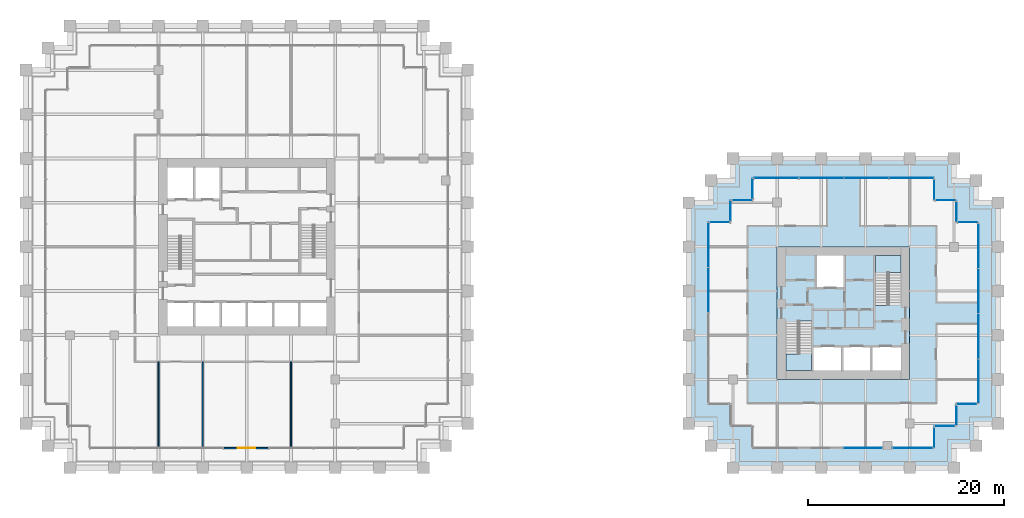
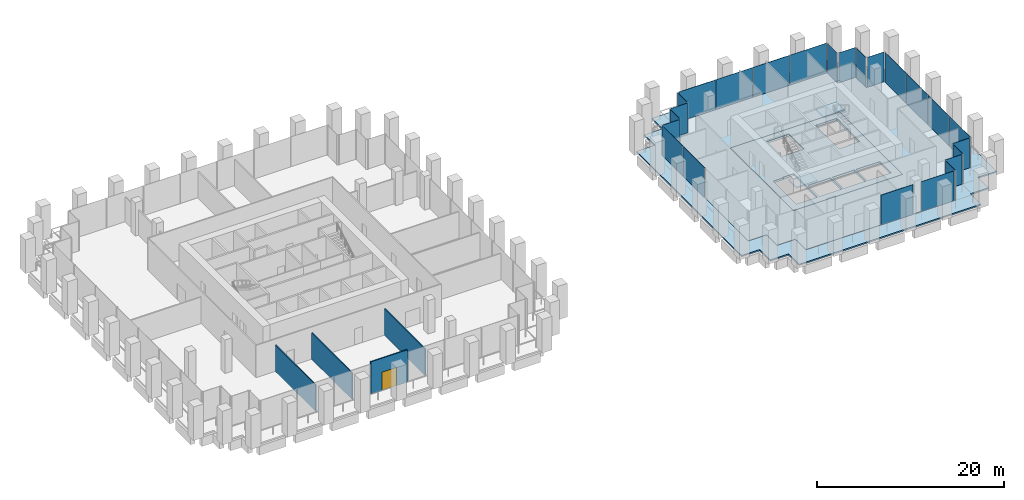
# One storey, part 29 of 36: 24 plates, 5 slabs, 4 walls, 1 door, 1 opening, 19 elements without a shape of their own.
"""IFC4 building model written with IfcOpenShell, lengths in metres."""

from ifc_helpers import new_model, si_unit, direction, frame, frame_2d, origin, origin_2d, place, context, subcontext, project, spatial, polyline, rectangle, outline, extrude, material, layer, layer_set, type_object, element, fill, aggregate, save


model = new_model("IFC4")

# Units and contexts
model_context = context("Model", 3, precision=1e-05, world=origin(), true_north=direction((0.0, 1.0)))
body_context = subcontext(model_context, "Body", "Model", "MODEL_VIEW")
ifc_project = project(units=[si_unit("LENGTHUNIT", "METRE"), si_unit("AREAUNIT", "SQUARE_METRE"), si_unit("VOLUMEUNIT", "CUBIC_METRE"), si_unit("PLANEANGLEUNIT", "RADIAN"), si_unit("MASSUNIT", "GRAM", prefix="KILO")], contexts=[model_context])

# Site, building, storey
site_placement = place(None, origin())
site = spatial("IfcSite", under=ifc_project, at=site_placement, CompositionType="ELEMENT")
building_placement = place(site_placement, origin())
building = spatial("IfcBuilding", under=site, at=building_placement, Name="Altepetl Exchange Towers", CompositionType="ELEMENT")
storey_placement = place(building_placement, frame((0.0, 0.0, 34.199951171875)))
storey = spatial("IfcBuildingStorey", under=building, at=storey_placement, Name="L07", CompositionType="ELEMENT", Elevation=34.199951171875)

# Slabs
ifc_material_1 = material(Name="Concrete C40/50", Category="concrete")
ifc_layer_1 = layer(ifc_material_1, 0.175048828125)
ifc_layer_set_1 = layer_set([ifc_layer_1], Name="Concrete C40/50")
slab_type_1 = type_object("IfcSlabType", Name="Composite floor slab 175", PredefinedType="FLOOR", material=ifc_layer_set_1)
slab_1_placement = place(storey_placement, frame((0.0, 0.0, -0.175048828125)))
element("IfcSlab", 1, at=slab_1_placement, inside=storey, type_object=slab_type_1, Name="slab:B:L07:strip0", PredefinedType="FLOOR", context=body_context, shape_type="SweptSolid", body=[
    extrude(outline(polyline([(98.75, 54.25), (98.75, 52.0), (96.5, 52.0), (96.5, 33.5), (98.75, 33.5), (98.75, 31.25), (101.0, 31.25), (101.0, 29.0), (119.5, 29.0), (119.5, 31.25), (121.75, 31.25), (121.75, 33.5), (124.0, 33.5), (124.0, 52.0), (121.75, 52.0), (121.75, 54.25), (119.5, 54.25), (119.5, 56.5), (101.0, 56.5), (101.0, 54.25), (98.75, 54.25)]), holes=[polyline([(117.0, 49.5), (117.0, 36.0), (103.5, 36.0), (103.5, 49.5), (117.0, 49.5)])]), origin(), (0.0, 0.0, 1.0), 0.175048828125),
])
ifc_layer_2 = layer(ifc_material_1, 0.27490234375)
ifc_layer_set_2 = layer_set([ifc_layer_2], Name="Concrete C40/50")
slab_type_2 = type_object("IfcSlabType", Name="Core floor slab 275", PredefinedType="FLOOR", material=ifc_layer_set_2)
slab_2_placement = place(storey_placement, frame((0.0, 0.0, -0.27490234375)))
element("IfcSlab", 2, at=slab_2_placement, inside=storey, type_object=slab_type_2, Name="slab:B:L07:core0", PredefinedType="FLOOR", context=body_context, shape_type="SweptSolid", body=[
    extrude(outline(polyline([(103.5, 36.0), (117.0, 36.0), (117.0, 49.5), (103.5, 49.5), (103.5, 36.0)]), holes=[polyline([(107.199951171875, 36.89990234375), (107.199951171875, 39.300048828125), (110.032958984375, 39.300048828125), (110.032958984375, 36.89990234375), (107.199951171875, 36.89990234375)]), polyline([(110.23291015625, 39.300048828125), (112.967041015625, 39.300048828125), (112.967041015625, 36.89990234375), (110.23291015625, 36.89990234375), (110.23291015625, 39.300048828125)]), polyline([(113.1669921875, 39.300048828125), (116.10009765625, 39.300048828125), (116.10009765625, 36.89990234375), (113.1669921875, 36.89990234375), (113.1669921875, 39.300048828125)]), polyline([(107.0, 36.89990234375), (104.39990234375, 36.89990234375), (104.39990234375, 41.85009765625), (105.64990234375, 41.85009765625), (105.64990234375, 41.948974609375), (107.0, 41.948974609375), (107.0, 36.89990234375)]), polyline([(116.10009765625, 48.60009765625), (116.10009765625, 43.64990234375), (114.85009765625, 43.64990234375), (114.85009765625, 43.551025390625), (113.5, 43.551025390625), (113.5, 48.60009765625), (116.10009765625, 48.60009765625)]), polyline([(107.532958984375, 48.60009765625), (110.26708984375, 48.60009765625), (110.26708984375, 45.39990234375), (107.532958984375, 45.39990234375), (107.532958984375, 48.60009765625)])]), origin(), (0.0, 0.0, 1.0), 0.27490234375),
])

# Curtain wall, plate
ifc_material_2 = material(Name="Aluminium 6063-T6 glazing", Category="aluminium")
curtain_wall_type = type_object("IfcCurtainWallType", Name="Trading floor glazing system", PredefinedType="NOTDEFINED", material=ifc_material_2)
curtain_wall_1_placement = place(storey_placement, origin())
curtain_wall_1 = element("IfcCurtainWall", 3, at=curtain_wall_1_placement, inside=storey, type_object=curtain_wall_type, Name="CW2 run", PredefinedType="NOTDEFINED")
ifc_material_3 = material(Name="Glass 8-20-8 solar control", Category="glass")
ifc_layer_3 = layer(ifc_material_3, 0.035888671875)
ifc_layer_set_3 = layer_set([ifc_layer_3], Name="Glass 8-20-8 solar control")
plate_type = type_object("IfcPlateType", Name="Glass panel 36 double glazed", PredefinedType="CURTAIN_PANEL", material=ifc_layer_set_3)
plate_1_placement = place(storey_placement, frame((97.675048828125, 52.0, 0.0), z_axis=(0.0, 0.0, 1.0), x_axis=(-1.0, 0.0, 0.0)))
plate_1 = element("IfcPlate", 4, at=plate_1_placement, type_object=plate_type, Name="GP2 panel", PredefinedType="CURTAIN_PANEL", context=body_context, shape_type="SweptSolid", body=[
    extrude(rectangle(XDim=2.030029296875, YDim=0.035888671875, at=origin_2d()), origin(), (0.0, 0.0, 1.0), 3.89990234375),
])
aggregate(curtain_wall_1, [plate_1])

# Curtain wall, plates
curtain_wall_2_placement = place(storey_placement, origin())
curtain_wall_2 = element("IfcCurtainWall", 5, at=curtain_wall_2_placement, inside=storey, type_object=curtain_wall_type, Name="CW2 run", PredefinedType="NOTDEFINED")
plate_2_placement = place(storey_placement, frame((96.5, 49.68505859375, 0.0), z_axis=(0.0, 0.0, 1.0), x_axis=(0.0, -1.0, 0.0)))
plate_2 = element("IfcPlate", 6, at=plate_2_placement, type_object=plate_type, Name="GP2 panel", PredefinedType="CURTAIN_PANEL", context=body_context, shape_type="SweptSolid", body=[
    extrude(rectangle(XDim=4.510009765625, YDim=0.035888671875, at=origin_2d()), origin(), (0.0, 0.0, 1.0), 3.89990234375),
])
plate_3_placement = place(storey_placement, frame((96.5, 45.10009765625, 0.0), z_axis=(0.0, 0.0, 1.0), x_axis=(0.0, -1.0, 0.0)))
plate_3 = element("IfcPlate", 7, at=plate_3_placement, type_object=plate_type, Name="GP2 panel", PredefinedType="CURTAIN_PANEL", context=body_context, shape_type="SweptSolid", body=[
    extrude(rectangle(XDim=4.5400390625, YDim=0.035888671875, at=origin_2d()), origin(), (0.0, 0.0, 1.0), 3.89990234375),
])
aggregate(curtain_wall_2, [plate_2, plate_3])

# Curtain wall, plate
curtain_wall_3_placement = place(storey_placement, origin())
curtain_wall_3 = element("IfcCurtainWall", 8, at=curtain_wall_3_placement, inside=storey, type_object=curtain_wall_type, Name="CW2 run", PredefinedType="NOTDEFINED")
plate_4_placement = place(storey_placement, frame((112.239990234375, 29.0, 0.0)))
plate_4 = element("IfcPlate", 9, at=plate_4_placement, type_object=plate_type, Name="GP2 panel", PredefinedType="CURTAIN_PANEL", context=body_context, shape_type="SweptSolid", body=[
    extrude(rectangle(XDim=3.9599609375, YDim=0.035888671875, at=origin_2d()), origin(), (0.0, 0.0, 1.0), 3.89990234375),
])
aggregate(curtain_wall_3, [plate_4])

curtain_wall_4_placement = place(storey_placement, origin())
curtain_wall_4 = element("IfcCurtainWall", 10, at=curtain_wall_4_placement, inside=storey, type_object=curtain_wall_type, Name="CW2 run", PredefinedType="NOTDEFINED")
plate_5_placement = place(storey_placement, frame((117.31005859375, 29.0, 0.0)))
plate_5 = element("IfcPlate", 11, at=plate_5_placement, type_object=plate_type, Name="GP2 panel", PredefinedType="CURTAIN_PANEL", context=body_context, shape_type="SweptSolid", body=[
    extrude(rectangle(XDim=4.06005859375, YDim=0.035888671875, at=origin_2d()), origin(), (0.0, 0.0, 1.0), 3.89990234375),
])
aggregate(curtain_wall_4, [plate_5])

curtain_wall_5_placement = place(storey_placement, origin())
curtain_wall_5 = element("IfcCurtainWall", 12, at=curtain_wall_5_placement, inside=storey, type_object=curtain_wall_type, Name="CW2 run", PredefinedType="NOTDEFINED")
plate_6_placement = place(storey_placement, frame((119.5, 30.074951171875, 0.0), z_axis=(0.0, 0.0, 1.0), x_axis=(0.0, 1.0, 0.0)))
plate_6 = element("IfcPlate", 13, at=plate_6_placement, type_object=plate_type, Name="GP2 panel", PredefinedType="CURTAIN_PANEL", context=body_context, shape_type="SweptSolid", body=[
    extrude(rectangle(XDim=2.030029296875, YDim=0.035888671875, at=origin_2d()), origin(), (0.0, 0.0, 1.0), 3.89990234375),
])
aggregate(curtain_wall_5, [plate_6])

curtain_wall_6_placement = place(storey_placement, origin())
curtain_wall_6 = element("IfcCurtainWall", 14, at=curtain_wall_6_placement, inside=storey, type_object=curtain_wall_type, Name="CW2 run", PredefinedType="NOTDEFINED")
plate_7_placement = place(storey_placement, frame((120.574951171875, 31.25, 0.0)))
plate_7 = element("IfcPlate", 15, at=plate_7_placement, type_object=plate_type, Name="GP2 panel", PredefinedType="CURTAIN_PANEL", context=body_context, shape_type="SweptSolid", body=[
    extrude(rectangle(XDim=2.030029296875, YDim=0.035888671875, at=origin_2d()), origin(), (0.0, 0.0, 1.0), 3.89990234375),
])
aggregate(curtain_wall_6, [plate_7])

curtain_wall_7_placement = place(storey_placement, origin())
curtain_wall_7 = element("IfcCurtainWall", 16, at=curtain_wall_7_placement, inside=storey, type_object=curtain_wall_type, Name="CW2 run", PredefinedType="NOTDEFINED")
plate_8_placement = place(storey_placement, frame((121.75, 32.324951171875, 0.0), z_axis=(0.0, 0.0, 1.0), x_axis=(0.0, 1.0, 0.0)))
plate_8 = element("IfcPlate", 17, at=plate_8_placement, type_object=plate_type, Name="GP2 panel", PredefinedType="CURTAIN_PANEL", context=body_context, shape_type="SweptSolid", body=[
    extrude(rectangle(XDim=2.030029296875, YDim=0.035888671875, at=origin_2d()), origin(), (0.0, 0.0, 1.0), 3.89990234375),
])
aggregate(curtain_wall_7, [plate_8])

curtain_wall_8_placement = place(storey_placement, origin())
curtain_wall_8 = element("IfcCurtainWall", 18, at=curtain_wall_8_placement, inside=storey, type_object=curtain_wall_type, Name="CW2 run", PredefinedType="NOTDEFINED")
plate_9_placement = place(storey_placement, frame((122.824951171875, 33.5, 0.0)))
plate_9 = element("IfcPlate", 19, at=plate_9_placement, type_object=plate_type, Name="GP2 panel", PredefinedType="CURTAIN_PANEL", context=body_context, shape_type="SweptSolid", body=[
    extrude(rectangle(XDim=2.030029296875, YDim=0.035888671875, at=origin_2d()), origin(), (0.0, 0.0, 1.0), 3.89990234375),
])
aggregate(curtain_wall_8, [plate_9])

# Curtain wall, plates
curtain_wall_9_placement = place(storey_placement, origin())
curtain_wall_9 = element("IfcCurtainWall", 20, at=curtain_wall_9_placement, inside=storey, type_object=curtain_wall_type, Name="CW2 run", PredefinedType="NOTDEFINED")
plate_10_placement = place(storey_placement, frame((124.0, 35.81494140625, 0.0), z_axis=(0.0, 0.0, 1.0), x_axis=(0.0, 1.0, 0.0)))
plate_10 = element("IfcPlate", 21, at=plate_10_placement, type_object=plate_type, Name="GP2 panel", PredefinedType="CURTAIN_PANEL", context=body_context, shape_type="SweptSolid", body=[
    extrude(rectangle(XDim=4.510009765625, YDim=0.035888671875, at=origin_2d()), origin(), (0.0, 0.0, 1.0), 3.89990234375),
])
plate_11_placement = place(storey_placement, frame((124.0, 40.39990234375, 0.0), z_axis=(0.0, 0.0, 1.0), x_axis=(0.0, 1.0, 0.0)))
plate_11 = element("IfcPlate", 22, at=plate_11_placement, type_object=plate_type, Name="GP2 panel", PredefinedType="CURTAIN_PANEL", context=body_context, shape_type="SweptSolid", body=[
    extrude(rectangle(XDim=4.5400390625, YDim=0.035888671875, at=origin_2d()), origin(), (0.0, 0.0, 1.0), 3.89990234375),
])
plate_12_placement = place(storey_placement, frame((124.0, 45.0, 0.0), z_axis=(0.0, 0.0, 1.0), x_axis=(0.0, 1.0, 0.0)))
plate_12 = element("IfcPlate", 23, at=plate_12_placement, type_object=plate_type, Name="GP2 panel", PredefinedType="CURTAIN_PANEL", context=body_context, shape_type="SweptSolid", body=[
    extrude(rectangle(XDim=4.5400390625, YDim=0.035888671875, at=origin_2d()), origin(), (0.0, 0.0, 1.0), 3.89990234375),
])
plate_13_placement = place(storey_placement, frame((124.0, 49.5849609375, 0.0), z_axis=(0.0, 0.0, 1.0), x_axis=(0.0, 1.0, 0.0)))
plate_13 = element("IfcPlate", 24, at=plate_13_placement, type_object=plate_type, Name="GP2 panel", PredefinedType="CURTAIN_PANEL", context=body_context, shape_type="SweptSolid", body=[
    extrude(rectangle(XDim=4.510009765625, YDim=0.035888671875, at=origin_2d()), origin(), (0.0, 0.0, 1.0), 3.89990234375),
])
aggregate(curtain_wall_9, [plate_10, plate_11, plate_12, plate_13])

# Curtain wall, plate
curtain_wall_10_placement = place(storey_placement, origin())
curtain_wall_10 = element("IfcCurtainWall", 25, at=curtain_wall_10_placement, inside=storey, type_object=curtain_wall_type, Name="CW2 run", PredefinedType="NOTDEFINED")
plate_14_placement = place(storey_placement, frame((122.925048828125, 52.0, 0.0), z_axis=(0.0, 0.0, 1.0), x_axis=(-1.0, 0.0, 0.0)))
plate_14 = element("IfcPlate", 26, at=plate_14_placement, type_object=plate_type, Name="GP2 panel", PredefinedType="CURTAIN_PANEL", context=body_context, shape_type="SweptSolid", body=[
    extrude(rectangle(XDim=2.030029296875, YDim=0.035888671875, at=origin_2d()), origin(), (0.0, 0.0, 1.0), 3.89990234375),
])
aggregate(curtain_wall_10, [plate_14])

curtain_wall_11_placement = place(storey_placement, origin())
curtain_wall_11 = element("IfcCurtainWall", 27, at=curtain_wall_11_placement, inside=storey, type_object=curtain_wall_type, Name="CW2 run", PredefinedType="NOTDEFINED")
plate_15_placement = place(storey_placement, frame((121.75, 53.074951171875, 0.0), z_axis=(0.0, 0.0, 1.0), x_axis=(0.0, 1.0, 0.0)))
plate_15 = element("IfcPlate", 28, at=plate_15_placement, type_object=plate_type, Name="GP2 panel", PredefinedType="CURTAIN_PANEL", context=body_context, shape_type="SweptSolid", body=[
    extrude(rectangle(XDim=2.030029296875, YDim=0.035888671875, at=origin_2d()), origin(), (0.0, 0.0, 1.0), 3.89990234375),
])
aggregate(curtain_wall_11, [plate_15])

curtain_wall_12_placement = place(storey_placement, origin())
curtain_wall_12 = element("IfcCurtainWall", 29, at=curtain_wall_12_placement, inside=storey, type_object=curtain_wall_type, Name="CW2 run", PredefinedType="NOTDEFINED")
plate_16_placement = place(storey_placement, frame((120.675048828125, 54.25, 0.0), z_axis=(0.0, 0.0, 1.0), x_axis=(-1.0, 0.0, 0.0)))
plate_16 = element("IfcPlate", 30, at=plate_16_placement, type_object=plate_type, Name="GP2 panel", PredefinedType="CURTAIN_PANEL", context=body_context, shape_type="SweptSolid", body=[
    extrude(rectangle(XDim=2.030029296875, YDim=0.035888671875, at=origin_2d()), origin(), (0.0, 0.0, 1.0), 3.89990234375),
])
aggregate(curtain_wall_12, [plate_16])

curtain_wall_13_placement = place(storey_placement, origin())
curtain_wall_13 = element("IfcCurtainWall", 31, at=curtain_wall_13_placement, inside=storey, type_object=curtain_wall_type, Name="CW2 run", PredefinedType="NOTDEFINED")
plate_17_placement = place(storey_placement, frame((119.5, 55.324951171875, 0.0), z_axis=(0.0, 0.0, 1.0), x_axis=(0.0, 1.0, 0.0)))
plate_17 = element("IfcPlate", 32, at=plate_17_placement, type_object=plate_type, Name="GP2 panel", PredefinedType="CURTAIN_PANEL", context=body_context, shape_type="SweptSolid", body=[
    extrude(rectangle(XDim=2.030029296875, YDim=0.035888671875, at=origin_2d()), origin(), (0.0, 0.0, 1.0), 3.89990234375),
])
aggregate(curtain_wall_13, [plate_17])

# Curtain wall, plates
curtain_wall_14_placement = place(storey_placement, origin())
curtain_wall_14 = element("IfcCurtainWall", 33, at=curtain_wall_14_placement, inside=storey, type_object=curtain_wall_type, Name="CW2 run", PredefinedType="NOTDEFINED")
plate_18_placement = place(storey_placement, frame((117.18505859375, 56.5, 0.0), z_axis=(0.0, 0.0, 1.0), x_axis=(-1.0, 0.0, 0.0)))
plate_18 = element("IfcPlate", 34, at=plate_18_placement, type_object=plate_type, Name="GP2 panel", PredefinedType="CURTAIN_PANEL", context=body_context, shape_type="SweptSolid", body=[
    extrude(rectangle(XDim=4.510009765625, YDim=0.035888671875, at=origin_2d()), origin(), (0.0, 0.0, 1.0), 3.89990234375),
])
plate_19_placement = place(storey_placement, frame((112.60009765625, 56.5, 0.0), z_axis=(0.0, 0.0, 1.0), x_axis=(-1.0, 0.0, 0.0)))
plate_19 = element("IfcPlate", 35, at=plate_19_placement, type_object=plate_type, Name="GP2 panel", PredefinedType="CURTAIN_PANEL", context=body_context, shape_type="SweptSolid", body=[
    extrude(rectangle(XDim=4.5400390625, YDim=0.035888671875, at=origin_2d()), origin(), (0.0, 0.0, 1.0), 3.89990234375),
])
plate_20_placement = place(storey_placement, frame((108.0, 56.5, 0.0), z_axis=(0.0, 0.0, 1.0), x_axis=(-1.0, 0.0, 0.0)))
plate_20 = element("IfcPlate", 36, at=plate_20_placement, type_object=plate_type, Name="GP2 panel", PredefinedType="CURTAIN_PANEL", context=body_context, shape_type="SweptSolid", body=[
    extrude(rectangle(XDim=4.5400390625, YDim=0.035888671875, at=origin_2d()), origin(), (0.0, 0.0, 1.0), 3.89990234375),
])
plate_21_placement = place(storey_placement, frame((103.4150390625, 56.5, 0.0), z_axis=(0.0, 0.0, 1.0), x_axis=(-1.0, 0.0, 0.0)))
plate_21 = element("IfcPlate", 37, at=plate_21_placement, type_object=plate_type, Name="GP2 panel", PredefinedType="CURTAIN_PANEL", context=body_context, shape_type="SweptSolid", body=[
    extrude(rectangle(XDim=4.510009765625, YDim=0.035888671875, at=origin_2d()), origin(), (0.0, 0.0, 1.0), 3.89990234375),
])
aggregate(curtain_wall_14, [plate_18, plate_19, plate_20, plate_21])

# Curtain wall, plate
curtain_wall_15_placement = place(storey_placement, origin())
curtain_wall_15 = element("IfcCurtainWall", 38, at=curtain_wall_15_placement, inside=storey, type_object=curtain_wall_type, Name="CW2 run", PredefinedType="NOTDEFINED")
plate_22_placement = place(storey_placement, frame((101.0, 55.425048828125, 0.0), z_axis=(0.0, 0.0, 1.0), x_axis=(0.0, -1.0, 0.0)))
plate_22 = element("IfcPlate", 39, at=plate_22_placement, type_object=plate_type, Name="GP2 panel", PredefinedType="CURTAIN_PANEL", context=body_context, shape_type="SweptSolid", body=[
    extrude(rectangle(XDim=2.030029296875, YDim=0.035888671875, at=origin_2d()), origin(), (0.0, 0.0, 1.0), 3.89990234375),
])
aggregate(curtain_wall_15, [plate_22])

curtain_wall_16_placement = place(storey_placement, origin())
curtain_wall_16 = element("IfcCurtainWall", 40, at=curtain_wall_16_placement, inside=storey, type_object=curtain_wall_type, Name="CW2 run", PredefinedType="NOTDEFINED")
plate_23_placement = place(storey_placement, frame((99.925048828125, 54.25, 0.0), z_axis=(0.0, 0.0, 1.0), x_axis=(-1.0, 0.0, 0.0)))
plate_23 = element("IfcPlate", 41, at=plate_23_placement, type_object=plate_type, Name="GP2 panel", PredefinedType="CURTAIN_PANEL", context=body_context, shape_type="SweptSolid", body=[
    extrude(rectangle(XDim=2.030029296875, YDim=0.035888671875, at=origin_2d()), origin(), (0.0, 0.0, 1.0), 3.89990234375),
])
aggregate(curtain_wall_16, [plate_23])

curtain_wall_17_placement = place(storey_placement, origin())
curtain_wall_17 = element("IfcCurtainWall", 42, at=curtain_wall_17_placement, inside=storey, type_object=curtain_wall_type, Name="CW2 run", PredefinedType="NOTDEFINED")
plate_24_placement = place(storey_placement, frame((98.75, 53.175048828125, 0.0), z_axis=(0.0, 0.0, 1.0), x_axis=(0.0, -1.0, 0.0)))
plate_24 = element("IfcPlate", 43, at=plate_24_placement, type_object=plate_type, Name="GP2 panel", PredefinedType="CURTAIN_PANEL", context=body_context, shape_type="SweptSolid", body=[
    extrude(rectangle(XDim=2.030029296875, YDim=0.035888671875, at=origin_2d()), origin(), (0.0, 0.0, 1.0), 3.89990234375),
])
aggregate(curtain_wall_17, [plate_24])

# Slab
ifc_layer_4 = layer(ifc_material_1, 0.175048828125)
ifc_layer_set_4 = layer_set([ifc_layer_4], Name="Concrete C40/50")
slab_type_3 = type_object("IfcSlabType", Name="Loggia slab 175", PredefinedType="FLOOR", material=ifc_layer_set_4)
slab_3_placement = place(storey_placement, frame((0.0, 0.0, -0.175048828125)))
element("IfcSlab", 44, at=slab_3_placement, inside=storey, type_object=slab_type_3, Name="slab:B:L07:loggia0", PredefinedType="FLOOR", context=body_context, shape_type="SweptSolid", body=[
    extrude(outline(polyline([(96.75, 54.0), (94.5, 54.0), (94.5, 36.0), (94.5, 31.5), (96.75, 31.5), (96.75, 29.25), (99.0, 29.25), (99.0, 27.0), (117.0, 27.0), (121.5, 27.0), (121.5, 29.25), (123.75, 29.25), (123.75, 31.5), (126.0, 31.5), (126.0, 49.5), (126.0, 54.0), (123.75, 54.0), (123.75, 56.25), (121.5, 56.25), (121.5, 58.5), (103.5, 58.5), (99.0, 58.5), (99.0, 56.25), (96.75, 56.25), (96.75, 54.0)]), holes=[polyline([(96.5, 52.0), (98.75, 52.0), (98.75, 54.25), (101.0, 54.25), (101.0, 56.5), (119.5, 56.5), (119.5, 54.25), (121.75, 54.25), (121.75, 52.0), (124.0, 52.0), (124.0, 33.5), (121.75, 33.5), (121.75, 31.25), (119.5, 31.25), (119.5, 29.0), (101.0, 29.0), (101.0, 31.25), (98.75, 31.25), (98.75, 33.5), (96.5, 33.5), (96.5, 52.0)])]), origin(), (0.0, 0.0, 1.0), 0.175048828125),
])

# Stair, slab
stair_type = type_object("IfcStairType", Name="Exit stair 1250 flights dogleg", PredefinedType="HALF_TURN_STAIR", material=ifc_material_1)
stair_1_placement = place(storey_placement, origin())
stair_1 = element("IfcStair", 45, at=stair_1_placement, inside=storey, type_object=stair_type, Name="Exit stair 1", PredefinedType="HALF_TURN_STAIR")
ifc_layer_5 = layer(ifc_material_1, 0.199951171875)
ifc_layer_set_5 = layer_set([ifc_layer_5], Name="Concrete C40/50")
slab_type_4 = type_object("IfcSlabType", Name="Stair landing 200 reinforced concrete", PredefinedType="LANDING", material=ifc_layer_set_5)
slab_4_placement = place(storey_placement, frame((0.0, 0.0, 2.0)))
slab_4 = element("IfcSlab", 46, at=slab_4_placement, type_object=slab_type_4, Name="ST-B1b landing 1", PredefinedType="LANDING", context=body_context, shape_type="SweptSolid", body=[
    extrude(outline(polyline([(107.0, 36.89990234375), (104.39990234375, 36.89990234375), (104.39990234375, 38.590087890625), (104.39990234375, 38.5908203125), (105.64990234375, 38.5908203125), (105.64990234375, 38.590087890625), (105.75, 38.590087890625), (105.75, 38.68994140625), (107.0, 38.68994140625), (107.0, 38.590087890625), (107.0, 36.89990234375)])), origin(), (0.0, 0.0, 1.0), 0.199951171875),
])
aggregate(stair_1, [slab_4])

stair_2_placement = place(storey_placement, origin())
stair_2 = element("IfcStair", 47, at=stair_2_placement, inside=storey, type_object=stair_type, Name="Exit stair 2", PredefinedType="HALF_TURN_STAIR")
slab_5_placement = place(storey_placement, frame((0.0, 0.0, 2.0)))
slab_5 = element("IfcSlab", 48, at=slab_5_placement, type_object=slab_type_4, Name="ST-B2b landing 1", PredefinedType="LANDING", context=body_context, shape_type="SweptSolid", body=[
    extrude(outline(polyline([(114.75, 46.81005859375), (113.5, 46.81005859375), (113.5, 46.909912109375), (113.5, 48.60009765625), (116.10009765625, 48.60009765625), (116.10009765625, 46.909912109375), (116.10009765625, 46.9091796875), (114.85009765625, 46.9091796875), (114.85009765625, 46.909912109375), (114.75, 46.909912109375), (114.75, 46.81005859375)])), origin(), (0.0, 0.0, 1.0), 0.199951171875),
])
aggregate(stair_2, [slab_5])

# Wall, opening, door
ifc_material_4 = material(Name="Aluminium composite cladding", Category="aluminium")
ifc_layer_6 = layer(ifc_material_4, 0.14990234375)
ifc_layer_set_6 = layer_set([ifc_layer_6], Name="Aluminium composite cladding")
wall_type_1 = type_object("IfcWallType", Name="Infill wall 150 aluminium panel", PredefinedType="SOLIDWALL", material=ifc_layer_set_6)
wall_placement = place(storey_placement, frame((47.17138671875, 29.0, 0.0)))
wall = element("IfcWall", 49, at=wall_placement, inside=storey, type_object=wall_type_1, Name="Loggia door bay wall", PredefinedType="SOLIDWALL", context=body_context, shape_type="SweptSolid", body=[
    extrude(rectangle(XDim=4.55712890625, YDim=0.14990234375, at=frame_2d((2.278564453125, 0.0))), origin(), (0.0, 0.0, 1.0), 4.22509765625),
])
opening_placement = place(wall_placement, frame((1.378662109375, 0.0, 0.0)))
opening = element("IfcOpeningElement", 50, at=opening_placement, cuts=wall, Name="Opening L07.A90", PredefinedType="OPENING", context=body_context, shape_type="SweptSolid", body=[
    extrude(rectangle(XDim=1.800048828125, YDim=2.39990234375, at=frame_2d((0.89990234375, 1.199951171875))), frame((0.0, 0.0849609375, 0.0), z_axis=(0.0, -1.0, 0.0), x_axis=(1.0, 0.0, 0.0)), (0.0, 0.0, 1.0), 0.169921875),
])
ifc_material_5 = material(Name="Aluminium 6063-T6 and glass", Category="aluminium")
door_type = type_object("IfcDoorType", Name="Glazed door pair 1800x2400", OperationType="DOUBLE_DOOR_DOUBLE_SWING", PredefinedType="NOTDEFINED", material=ifc_material_5)
door_placement = place(opening_placement, frame((1.800048828125, 0.0, 0.0), x_axis=(-1.0, 0.0, 0.0)))
door = element("IfcDoor", 51, at=door_placement, inside=storey, type_object=door_type, Name="Loggia door", OperationType="DOUBLE_DOOR_DOUBLE_SWING", OverallHeight=2.39990234375, OverallWidth=1.800048828125, PredefinedType="NOTDEFINED", context=body_context, shape_type="SweptSolid", body=[
    extrude(rectangle(XDim=1.800048828125, YDim=2.39990234375, at=frame_2d((0.89990234375, 1.199951171875))), frame((0.0, 0.02490234375, 0.0), z_axis=(0.0, -1.0, 0.0), x_axis=(1.0, 0.0, 0.0)), (0.0, 0.0, 1.0), 0.050048828125),
])
fill(opening, door)

# Walls
ifc_material_6 = material(Name="Gypsum board on steel studs", Category="steel")
ifc_layer_7 = layer(ifc_material_6, 0.125)
ifc_layer_set_7 = layer_set([ifc_layer_7], Name="Gypsum board on steel studs")
wall_type_2 = type_object("IfcWallType", Name="Partition 125 gypsum board on steel studs", PredefinedType="PARTITIONING", material=ifc_layer_set_7)
for number, where, z_axis, x_axis, name in (
    (52, (40.5, 29.10009765625, 0.0), (0.0, 0.0, 1.0), (0.0, 1.0, 0.0), "wall:A:L07:P11"),
    (53, (45.0, 29.10009765625, 0.0), (0.0, 0.0, 1.0), (0.0, 1.0, 0.0), "wall:A:L07:P15"),
    (54, (54.0, 29.10009765625, 0.0), (0.0, 0.0, 1.0), (0.0, 1.0, 0.0), "wall:A:L07:P17"),
):
    element("IfcWall", number, at=place(storey_placement, frame(where, z_axis=z_axis, x_axis=x_axis)), inside=storey, type_object=wall_type_2, Name=name, PredefinedType="PARTITIONING", context=body_context, shape_type="SweptSolid", body=[
        extrude(rectangle(XDim=8.699951171875, YDim=0.125, at=frame_2d((4.35009765625, 0.0))), origin(), (0.0, 0.0, 1.0), 3.467041015625),
    ])

save(model, "model.ifc")
